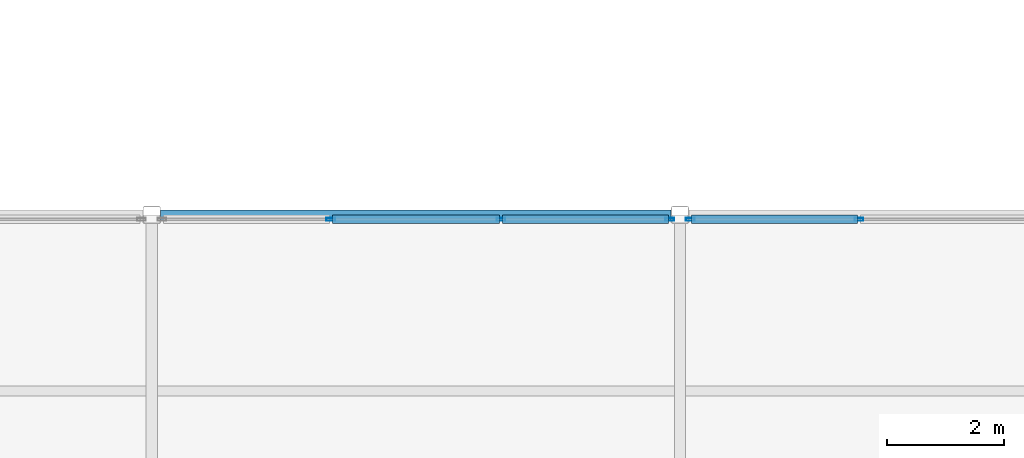
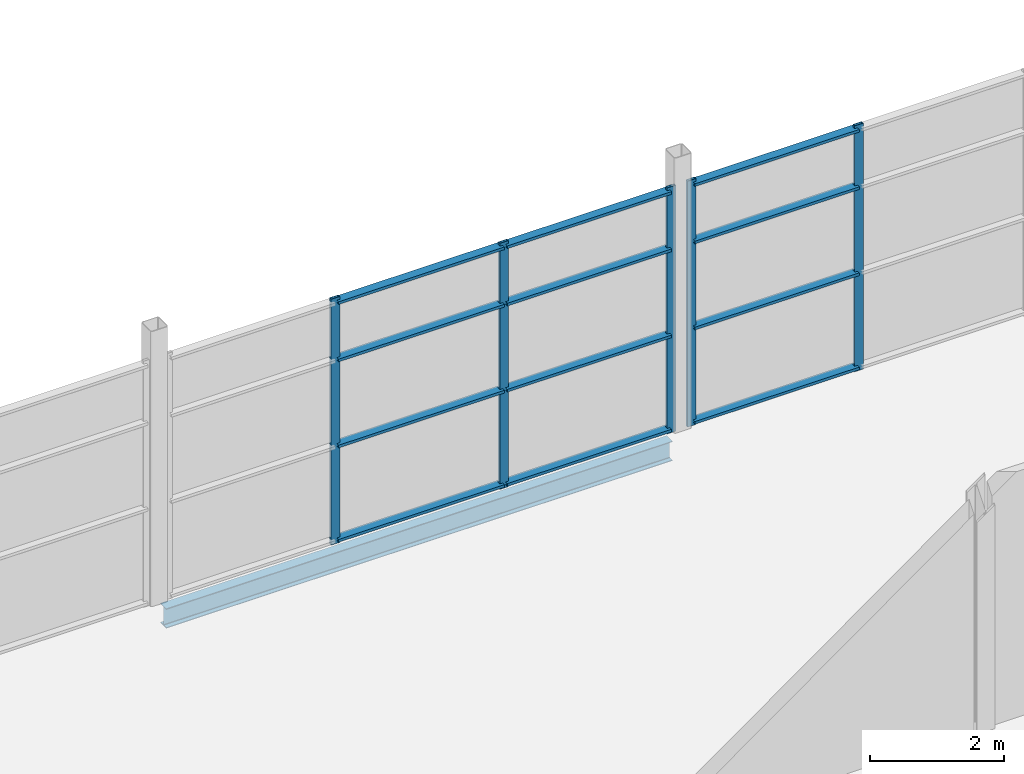
# One storey, part 60 of 112: 17 members, 1 beam, 2 elements without a shape of their own.
"""IFC4 building model written with IfcOpenShell, lengths in metres."""

from ifc_helpers import new_model, si_unit, direction, frame, origin, origin_2d, place, context, subcontext, project, spatial, hollow_rectangle, i_section, extrude, material, layer, layer_set, material_profile, profile_set, type_object, element, aggregate, save


model = new_model("IFC4")

# Units and contexts
model_context = context("Model", 3, precision=1e-05, world=origin(), true_north=direction((0.0, 1.0)))
body_context = subcontext(model_context, "Body", "Model", "MODEL_VIEW")
ifc_project = project(units=[si_unit("LENGTHUNIT", "METRE"), si_unit("AREAUNIT", "SQUARE_METRE"), si_unit("VOLUMEUNIT", "CUBIC_METRE"), si_unit("PLANEANGLEUNIT", "RADIAN"), si_unit("MASSUNIT", "GRAM", prefix="KILO")], contexts=[model_context])

# Site, building, storey
site_placement = place(None, origin())
site = spatial("IfcSite", under=ifc_project, at=site_placement, CompositionType="ELEMENT")
building_placement = place(site_placement, origin())
building = spatial("IfcBuilding", under=site, at=building_placement, Name="Shorebreak Coast Museum", CompositionType="ELEMENT")
storey_placement = place(building_placement, frame((0.0, 0.0, 6.0)))
storey = spatial("IfcBuildingStorey", under=building, at=storey_placement, Name="L01", CompositionType="ELEMENT", Elevation=6.0)

# Beam
ifc_material_1 = material(Name="Steel Grade 300", Category="steel")
ifc_material_profile_1 = material_profile(ifc_material_1, i_section(OverallWidth=0.1708984375, OverallDepth=0.355712890625, WebThickness=0.00732421875, FlangeThickness=0.011474609375, FilletRadius=0.011474609375, at=origin_2d()), Name="360UB50.7")
ifc_profile_set_1 = profile_set([ifc_material_profile_1], Name="Steel Grade 300")
beam_type = type_object("IfcBeamType", Name="Floor girder east-west 360UB50.7", PredefinedType="BEAM", material=ifc_profile_set_1)
beam_placement = place(storey_placement, frame((126.14990234375, 90.0, -0.352783203125), z_axis=(1.0, 0.0, 0.0), x_axis=(0.0, 1.0, 0.0)))
element("IfcBeam", 1, at=beam_placement, inside=storey, type_object=beam_type, Name="Floor girder east-west L01 15L", PredefinedType="BEAM", context=body_context, shape_type="SweptSolid", body=[
    extrude(i_section(OverallWidth=0.1708984375, OverallDepth=0.355712890625, WebThickness=0.00732421875, FlangeThickness=0.011474609375, FilletRadius=0.011474609375, at=origin_2d()), origin(), (0.0, 0.0, 1.0), 8.7001953125),
])

# Curtain wall, members
ifc_material_2 = material(Name="Aluminium", Category="aluminium")
ifc_layer = layer(ifc_material_2, 0.14990234375)
ifc_layer_set = layer_set([ifc_layer], Name="Aluminium")
curtain_wall_type = type_object("IfcCurtainWallType", Name="Storefront curtain wall", PredefinedType="NOTDEFINED", material=ifc_layer_set)
curtain_wall_1_placement = place(storey_placement, origin())
curtain_wall_1 = element("IfcCurtainWall", 2, at=curtain_wall_1_placement, inside=storey, type_object=curtain_wall_type, Name="Storefront L01 N 14", PredefinedType="NOTDEFINED")
ifc_material_3 = material(Name="Aluminium", Category="aluminium")
ifc_material_profile_2 = material_profile(ifc_material_3, hollow_rectangle(XDim=0.050048828125, YDim=0.14990234375, WallThickness=0.00390625, at=origin_2d()), Name="AL 150x50 RHS")
ifc_profile_set_2 = profile_set([ifc_material_profile_2], Name="Aluminium")
member_type_1 = type_object("IfcMemberType", Name="Storefront mullion 50 x 150", PredefinedType="MULLION", material=ifc_profile_set_2)
member_1_placement = place(storey_placement, frame((129.050048828125, 89.925048828125, 0.0), z_axis=(0.0, 0.0, 1.0), x_axis=(0.0, 1.0, 0.0)))
member_1 = element("IfcMember", 3, at=member_1_placement, type_object=member_type_1, Name="CW8 mullion 2", PredefinedType="MULLION", context=body_context, shape_type="SweptSolid", body=[
    extrude(hollow_rectangle(XDim=0.050048828125, YDim=0.14990234375, WallThickness=0.00390625, at=origin_2d()), origin(), (0.0, 0.0, 1.0), 4.469482421875),
])
member_2_placement = place(storey_placement, frame((131.949951171875, 89.925048828125, 0.0), z_axis=(0.0, 0.0, 1.0), x_axis=(0.0, 1.0, 0.0)))
member_2 = element("IfcMember", 4, at=member_2_placement, type_object=member_type_1, Name="CW8 mullion 3", PredefinedType="MULLION", context=body_context, shape_type="SweptSolid", body=[
    extrude(hollow_rectangle(XDim=0.050048828125, YDim=0.14990234375, WallThickness=0.00390625, at=origin_2d()), origin(), (0.0, 0.0, 1.0), 4.469482421875),
])
member_3_placement = place(storey_placement, frame((134.824951171875, 89.925048828125, 0.0), z_axis=(0.0, 0.0, 1.0), x_axis=(0.0, 1.0, 0.0)))
member_3 = element("IfcMember", 5, at=member_3_placement, type_object=member_type_1, Name="CW8 mullion 4", PredefinedType="MULLION", context=body_context, shape_type="SweptSolid", body=[
    extrude(hollow_rectangle(XDim=0.050048828125, YDim=0.14990234375, WallThickness=0.00390625, at=origin_2d()), origin(), (0.0, 0.0, 1.0), 4.469482421875),
])

curtain_wall_2_placement = place(storey_placement, origin())
curtain_wall_2 = element("IfcCurtainWall", 6, at=curtain_wall_2_placement, inside=storey, type_object=curtain_wall_type, Name="Storefront L01 N 15", PredefinedType="NOTDEFINED")
member_4_placement = place(storey_placement, frame((135.175048828125, 89.925048828125, 0.0), z_axis=(0.0, 0.0, 1.0), x_axis=(0.0, 1.0, 0.0)))
member_4 = element("IfcMember", 7, at=member_4_placement, type_object=member_type_1, Name="CW8 mullion 1", PredefinedType="MULLION", context=body_context, shape_type="SweptSolid", body=[
    extrude(hollow_rectangle(XDim=0.050048828125, YDim=0.14990234375, WallThickness=0.00390625, at=origin_2d()), origin(), (0.0, 0.0, 1.0), 4.469482421875),
])
member_5_placement = place(storey_placement, frame((138.050048828125, 89.925048828125, 0.0), z_axis=(0.0, 0.0, 1.0), x_axis=(0.0, 1.0, 0.0)))
member_5 = element("IfcMember", 8, at=member_5_placement, type_object=member_type_1, Name="CW8 mullion 2", PredefinedType="MULLION", context=body_context, shape_type="SweptSolid", body=[
    extrude(hollow_rectangle(XDim=0.050048828125, YDim=0.14990234375, WallThickness=0.00390625, at=origin_2d()), origin(), (0.0, 0.0, 1.0), 4.469482421875),
])

# Member
ifc_material_4 = material(Name="Aluminium", Category="aluminium")
ifc_material_profile_3 = material_profile(ifc_material_4, hollow_rectangle(XDim=0.14990234375, YDim=0.050048828125, WallThickness=0.00390625, at=origin_2d()), Name="AL 50x150 RHS")
ifc_profile_set_3 = profile_set([ifc_material_profile_3], Name="Aluminium")
member_type_2 = type_object("IfcMemberType", Name="Storefront transom 150 x 50", PredefinedType="USERDEFINED", material=ifc_profile_set_3)
member_6_placement = place(storey_placement, frame((129.074951171875, 89.925048828125, 0.074951171875), z_axis=(1.0, 0.0, 0.0), x_axis=(0.0, 1.0, 0.0)))
member_6 = element("IfcMember", 9, at=member_6_placement, type_object=member_type_2, Name="CW8 transom 2.1", ObjectType="TRANSOM", PredefinedType="USERDEFINED", context=body_context, shape_type="SweptSolid", body=[
    extrude(hollow_rectangle(XDim=0.14990234375, YDim=0.050048828125, WallThickness=0.00390625, at=origin_2d()), origin(), (0.0, 0.0, 1.0), 2.85009765625),
])

member_7_placement = place(storey_placement, frame((129.074951171875, 89.925048828125, 1.787841796875), z_axis=(1.0, 0.0, 0.0), x_axis=(0.0, 1.0, 0.0)))
member_7 = element("IfcMember", 10, at=member_7_placement, type_object=member_type_2, Name="CW8 transom 2.2", ObjectType="TRANSOM", PredefinedType="USERDEFINED", context=body_context, shape_type="SweptSolid", body=[
    extrude(hollow_rectangle(XDim=0.14990234375, YDim=0.050048828125, WallThickness=0.00390625, at=origin_2d()), origin(), (0.0, 0.0, 1.0), 2.85009765625),
])

member_8_placement = place(storey_placement, frame((129.074951171875, 89.925048828125, 3.35205078125), z_axis=(1.0, 0.0, 0.0), x_axis=(0.0, 1.0, 0.0)))
member_8 = element("IfcMember", 11, at=member_8_placement, type_object=member_type_2, Name="CW8 transom 2.3", ObjectType="TRANSOM", PredefinedType="USERDEFINED", context=body_context, shape_type="SweptSolid", body=[
    extrude(hollow_rectangle(XDim=0.14990234375, YDim=0.050048828125, WallThickness=0.00390625, at=origin_2d()), origin(), (0.0, 0.0, 1.0), 2.85009765625),
])

member_9_placement = place(storey_placement, frame((129.074951171875, 89.925048828125, 4.394287109375), z_axis=(1.0, 0.0, 0.0), x_axis=(0.0, 1.0, 0.0)))
member_9 = element("IfcMember", 12, at=member_9_placement, type_object=member_type_2, Name="CW8 transom 2.4", ObjectType="TRANSOM", PredefinedType="USERDEFINED", context=body_context, shape_type="SweptSolid", body=[
    extrude(hollow_rectangle(XDim=0.14990234375, YDim=0.050048828125, WallThickness=0.00390625, at=origin_2d()), origin(), (0.0, 0.0, 1.0), 2.85009765625),
])

member_10_placement = place(storey_placement, frame((131.97509765625, 89.925048828125, 0.074951171875), z_axis=(1.0, 0.0, 0.0), x_axis=(0.0, 1.0, 0.0)))
member_10 = element("IfcMember", 13, at=member_10_placement, type_object=member_type_2, Name="CW8 transom 3.1", ObjectType="TRANSOM", PredefinedType="USERDEFINED", context=body_context, shape_type="SweptSolid", body=[
    extrude(hollow_rectangle(XDim=0.14990234375, YDim=0.050048828125, WallThickness=0.00390625, at=origin_2d()), origin(), (0.0, 0.0, 1.0), 2.824951171875),
])

member_11_placement = place(storey_placement, frame((131.97509765625, 89.925048828125, 1.787841796875), z_axis=(1.0, 0.0, 0.0), x_axis=(0.0, 1.0, 0.0)))
member_11 = element("IfcMember", 14, at=member_11_placement, type_object=member_type_2, Name="CW8 transom 3.2", ObjectType="TRANSOM", PredefinedType="USERDEFINED", context=body_context, shape_type="SweptSolid", body=[
    extrude(hollow_rectangle(XDim=0.14990234375, YDim=0.050048828125, WallThickness=0.00390625, at=origin_2d()), origin(), (0.0, 0.0, 1.0), 2.824951171875),
])

member_12_placement = place(storey_placement, frame((131.97509765625, 89.925048828125, 3.35205078125), z_axis=(1.0, 0.0, 0.0), x_axis=(0.0, 1.0, 0.0)))
member_12 = element("IfcMember", 15, at=member_12_placement, type_object=member_type_2, Name="CW8 transom 3.3", ObjectType="TRANSOM", PredefinedType="USERDEFINED", context=body_context, shape_type="SweptSolid", body=[
    extrude(hollow_rectangle(XDim=0.14990234375, YDim=0.050048828125, WallThickness=0.00390625, at=origin_2d()), origin(), (0.0, 0.0, 1.0), 2.824951171875),
])

member_13_placement = place(storey_placement, frame((131.97509765625, 89.925048828125, 4.394287109375), z_axis=(1.0, 0.0, 0.0), x_axis=(0.0, 1.0, 0.0)))
member_13 = element("IfcMember", 16, at=member_13_placement, type_object=member_type_2, Name="CW8 transom 3.4", ObjectType="TRANSOM", PredefinedType="USERDEFINED", context=body_context, shape_type="SweptSolid", body=[
    extrude(hollow_rectangle(XDim=0.14990234375, YDim=0.050048828125, WallThickness=0.00390625, at=origin_2d()), origin(), (0.0, 0.0, 1.0), 2.824951171875),
])

aggregate(curtain_wall_1, [member_1, member_2, member_3, member_6, member_7, member_8, member_9, member_10, member_11, member_12, member_13])

member_14_placement = place(storey_placement, frame((135.199951171875, 89.925048828125, 0.074951171875), z_axis=(1.0, 0.0, 0.0), x_axis=(0.0, 1.0, 0.0)))
member_14 = element("IfcMember", 17, at=member_14_placement, type_object=member_type_2, Name="CW8 transom 1.1", ObjectType="TRANSOM", PredefinedType="USERDEFINED", context=body_context, shape_type="SweptSolid", body=[
    extrude(hollow_rectangle(XDim=0.14990234375, YDim=0.050048828125, WallThickness=0.00390625, at=origin_2d()), origin(), (0.0, 0.0, 1.0), 2.824951171875),
])

member_15_placement = place(storey_placement, frame((135.199951171875, 89.925048828125, 1.787841796875), z_axis=(1.0, 0.0, 0.0), x_axis=(0.0, 1.0, 0.0)))
member_15 = element("IfcMember", 18, at=member_15_placement, type_object=member_type_2, Name="CW8 transom 1.2", ObjectType="TRANSOM", PredefinedType="USERDEFINED", context=body_context, shape_type="SweptSolid", body=[
    extrude(hollow_rectangle(XDim=0.14990234375, YDim=0.050048828125, WallThickness=0.00390625, at=origin_2d()), origin(), (0.0, 0.0, 1.0), 2.824951171875),
])

member_16_placement = place(storey_placement, frame((135.199951171875, 89.925048828125, 3.35205078125), z_axis=(1.0, 0.0, 0.0), x_axis=(0.0, 1.0, 0.0)))
member_16 = element("IfcMember", 19, at=member_16_placement, type_object=member_type_2, Name="CW8 transom 1.3", ObjectType="TRANSOM", PredefinedType="USERDEFINED", context=body_context, shape_type="SweptSolid", body=[
    extrude(hollow_rectangle(XDim=0.14990234375, YDim=0.050048828125, WallThickness=0.00390625, at=origin_2d()), origin(), (0.0, 0.0, 1.0), 2.824951171875),
])

member_17_placement = place(storey_placement, frame((135.199951171875, 89.925048828125, 4.394287109375), z_axis=(1.0, 0.0, 0.0), x_axis=(0.0, 1.0, 0.0)))
member_17 = element("IfcMember", 20, at=member_17_placement, type_object=member_type_2, Name="CW8 transom 1.4", ObjectType="TRANSOM", PredefinedType="USERDEFINED", context=body_context, shape_type="SweptSolid", body=[
    extrude(hollow_rectangle(XDim=0.14990234375, YDim=0.050048828125, WallThickness=0.00390625, at=origin_2d()), origin(), (0.0, 0.0, 1.0), 2.824951171875),
])

aggregate(curtain_wall_2, [member_4, member_5, member_14, member_15, member_16, member_17])

save(model, "model.ifc")
